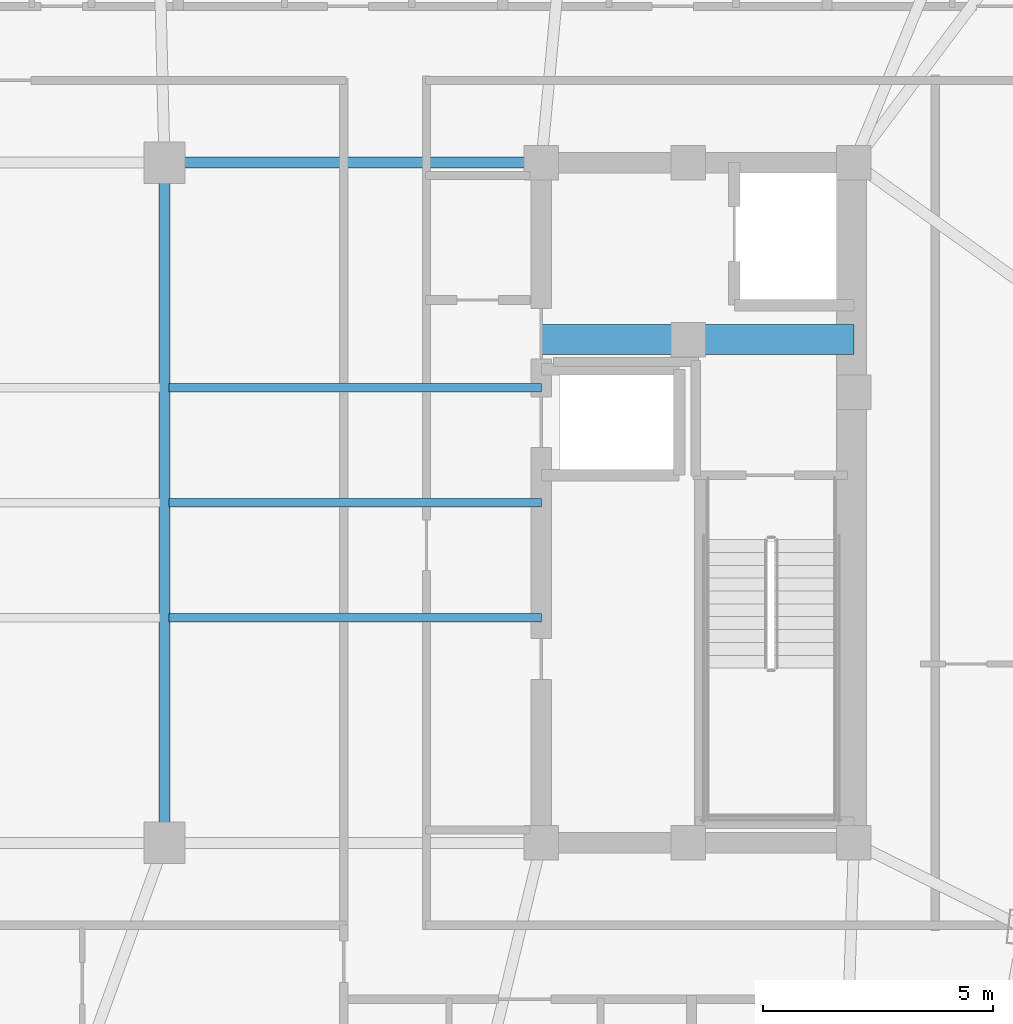
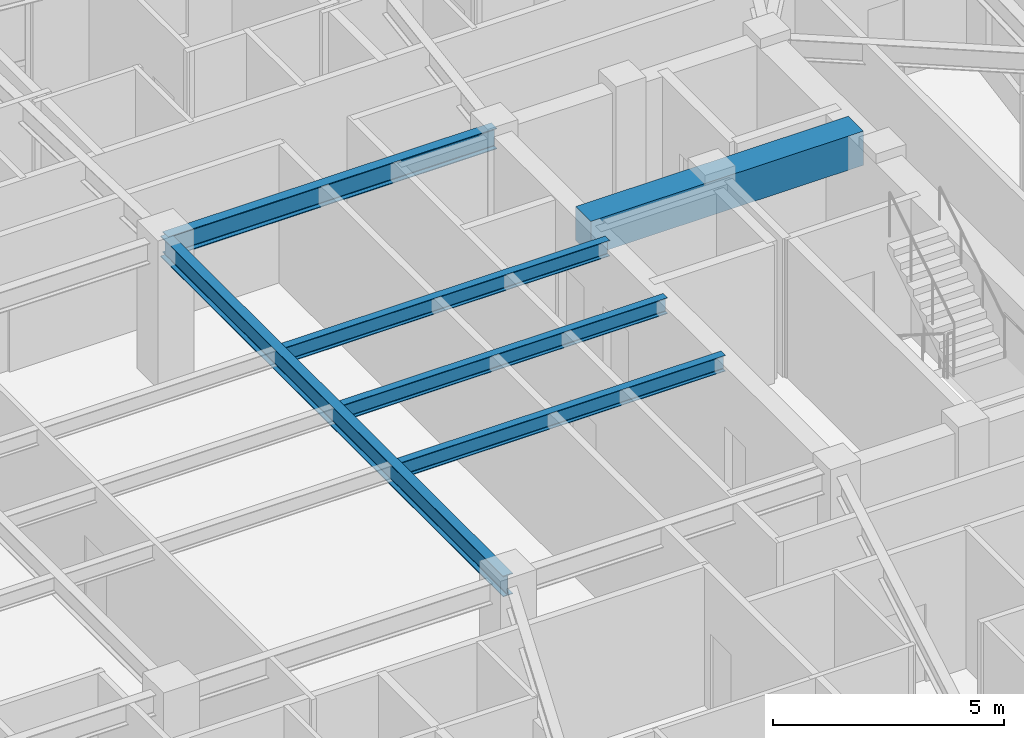
# One storey, part 9 of 23: 6 beams.
"""IFC4 building model written with IfcOpenShell, lengths in metres."""

from ifc_helpers import new_model, si_unit, direction, frame, origin, origin_2d, place, context, subcontext, project, spatial, rectangle, i_section, extrude, material, material_profile, profile_set, type_object, element, save


model = new_model("IFC4")

# Units and contexts
model_context = context("Model", 3, precision=1e-05, world=origin(), true_north=direction((0.0, 1.0)))
body_context = subcontext(model_context, "Body", "Model", "MODEL_VIEW")
ifc_project = project(units=[si_unit("LENGTHUNIT", "METRE"), si_unit("AREAUNIT", "SQUARE_METRE"), si_unit("VOLUMEUNIT", "CUBIC_METRE"), si_unit("PLANEANGLEUNIT", "RADIAN"), si_unit("MASSUNIT", "GRAM", prefix="KILO")], contexts=[model_context])

# Site, building, storey
site_placement = place(None, origin())
site = spatial("IfcSite", under=ifc_project, at=site_placement, CompositionType="ELEMENT")
building_placement = place(site_placement, origin())
building = spatial("IfcBuilding", under=site, at=building_placement, Name="Voryun Gate Residences", CompositionType="ELEMENT")
storey_placement = place(building_placement, frame((0.0, 0.0, 275.60009765625)))
storey = spatial("IfcBuildingStorey", under=building, at=storey_placement, Name="L68", CompositionType="ELEMENT", Elevation=275.60009765625)

# Beams
ifc_material_1 = material(Name="Concrete C60/75", Category="concrete")
ifc_material_profile_1 = material_profile(ifc_material_1, rectangle(XDim=0.64990234375, YDim=0.89990234375, at=origin_2d()), Name="RC-650x900")
ifc_profile_set_1 = profile_set([ifc_material_profile_1], Name="Concrete C60/75")
beam_type_1 = type_object("IfcBeamType", Name="BM_COUP_RC900", PredefinedType="LINTEL", material=ifc_profile_set_1)
beam_1_placement = place(storey_placement, frame((12.39990234375, 3.550048828125, 3.199951171875), z_axis=(1.0, 0.0, 0.0), x_axis=(0.0, 1.0, 0.0)))
element("IfcBeam", 1, at=beam_1_placement, inside=storey, type_object=beam_type_1, Name="BM-L68-EC1", PredefinedType="LINTEL", context=body_context, shape_type="SweptSolid", body=[
    extrude(rectangle(XDim=0.64990234375, YDim=0.89990234375, at=origin_2d()), origin(), (0.0, 0.0, 1.0), 6.800048828125),
])
ifc_material_2 = material(Name="Steel SM355", Category="steel")
ifc_material_profile_2 = material_profile(ifc_material_2, i_section(OverallWidth=0.239990234375, OverallDepth=0.550048828125, WebThickness=0.011962890625, FlangeThickness=0.02001953125, FilletRadius=0.01806640625, at=origin_2d()), Name="H-550x240x12x20")
ifc_profile_set_2 = profile_set([ifc_material_profile_2], Name="Steel SM355")
beam_type_2 = type_object("IfcBeamType", Name="BM_GIRD_550", PredefinedType="USERDEFINED", material=ifc_profile_set_2)
beam_2_placement = place(storey_placement, frame((4.199951171875, 7.39990234375, 3.375), z_axis=(1.0, 0.0, 0.0), x_axis=(0.0, 1.0, 0.0)))
element("IfcBeam", 2, at=beam_2_placement, inside=storey, type_object=beam_type_2, Name="BM-L68-SPG3-N", ObjectType="GIRDER", PredefinedType="USERDEFINED", context=body_context, shape_type="SweptSolid", body=[
    extrude(i_section(OverallWidth=0.239990234375, OverallDepth=0.550048828125, WebThickness=0.011962890625, FlangeThickness=0.02001953125, FilletRadius=0.01806640625, at=origin_2d()), origin(), (0.0, 0.0, 1.0), 8.199951171875),
])
beam_3_placement = place(storey_placement, frame((4.199951171875, -7.39990234375, 3.375), z_axis=(0.0, 1.0, 0.0), x_axis=(-1.0, 0.0, 0.0)))
element("IfcBeam", 3, at=beam_3_placement, inside=storey, type_object=beam_type_2, Name="BM-L68-SPX-E", ObjectType="GIRDER", PredefinedType="USERDEFINED", context=body_context, shape_type="SweptSolid", body=[
    extrude(i_section(OverallWidth=0.239990234375, OverallDepth=0.550048828125, WebThickness=0.011962890625, FlangeThickness=0.02001953125, FilletRadius=0.01806640625, at=origin_2d()), origin(), (0.0, 0.0, 1.0), 14.7998046875),
])
ifc_material_3 = material(Name="Steel SM355", Category="steel")
ifc_material_profile_3 = material_profile(ifc_material_3, i_section(OverallWidth=0.18994140625, OverallDepth=0.419921875, WebThickness=0.009033203125, FlangeThickness=0.01611328125, FilletRadius=0.01806640625, at=origin_2d()), Name="H-420x190x9x16")
ifc_profile_set_3 = profile_set([ifc_material_profile_3], Name="Steel SM355")
beam_type_3 = type_object("IfcBeamType", Name="BM_SEC_420", PredefinedType="BEAM", material=ifc_profile_set_3)
for number, where, z_axis, x_axis, name in (
    (4, (4.300048828125, -2.5, 3.43994140625), (1.0, 0.0, 0.0), (0.0, 1.0, 0.0), "BM-L68-SEC-CS3"),
    (5, (4.300048828125, 0.0, 3.43994140625), (1.0, 0.0, 0.0), (0.0, 1.0, 0.0), "BM-L68-SEC-CM3"),
    (6, (4.300048828125, 2.5, 3.43994140625), (1.0, 0.0, 0.0), (0.0, 1.0, 0.0), "BM-L68-SEC-CN3"),
):
    element("IfcBeam", number, at=place(storey_placement, frame(where, z_axis=z_axis, x_axis=x_axis)), inside=storey, type_object=beam_type_3, Name=name, PredefinedType="BEAM", context=body_context, shape_type="SweptSolid", body=[
        extrude(i_section(OverallWidth=0.18994140625, OverallDepth=0.419921875, WebThickness=0.009033203125, FlangeThickness=0.01611328125, FilletRadius=0.01806640625, at=origin_2d()), origin(), (0.0, 0.0, 1.0), 8.099853515625),
    ])

save(model, "model.ifc")
